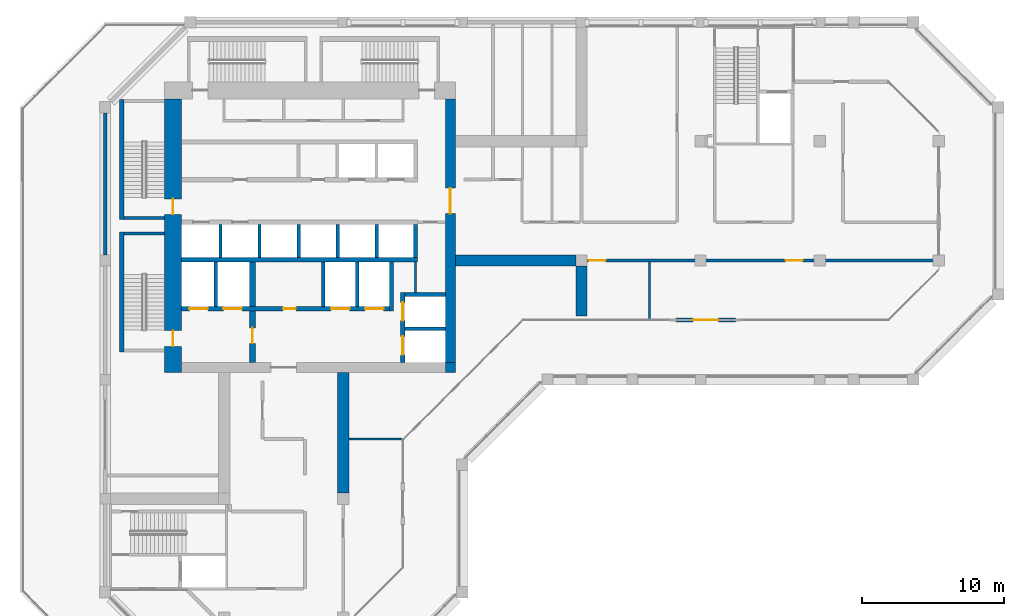
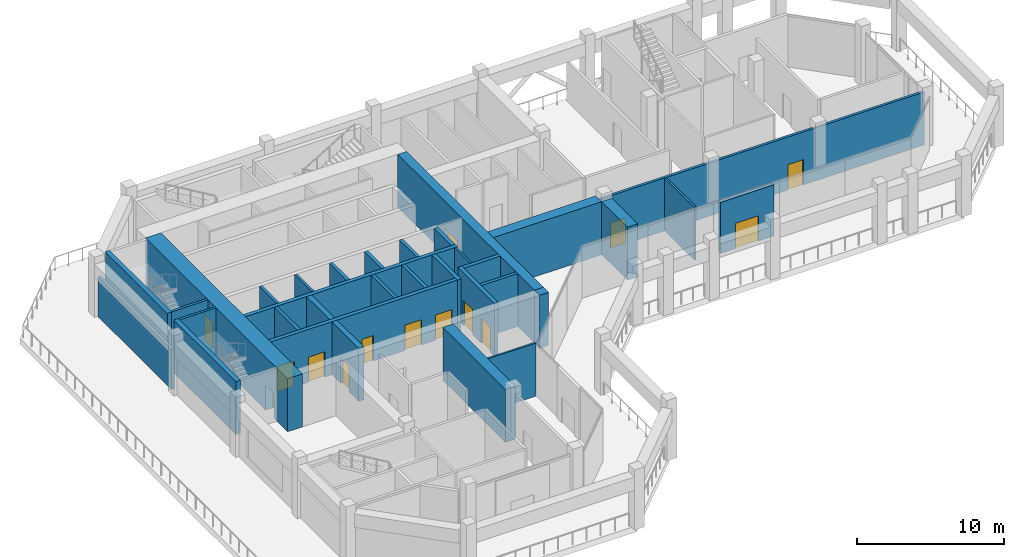
# One storey, part 7 of 16: 33 walls, 14 doors, 14 openings.
"""IFC4 building model written with IfcOpenShell, lengths in metres."""

from ifc_helpers import new_model, si_unit, direction, frame, frame_2d, origin, place, context, subcontext, project, spatial, rectangle, extrude, material, layer, layer_set, type_object, element, fill, save


model = new_model("IFC4")

# Units and contexts
model_context = context("Model", 3, precision=1e-05, world=origin(), true_north=direction((0.0, 1.0)))
body_context = subcontext(model_context, "Body", "Model", "MODEL_VIEW")
ifc_project = project(units=[si_unit("LENGTHUNIT", "METRE"), si_unit("AREAUNIT", "SQUARE_METRE"), si_unit("VOLUMEUNIT", "CUBIC_METRE"), si_unit("PLANEANGLEUNIT", "RADIAN"), si_unit("MASSUNIT", "GRAM", prefix="KILO")], contexts=[model_context])

# Site, building, storey
site_placement = place(None, origin())
site = spatial("IfcSite", under=ifc_project, at=site_placement, CompositionType="ELEMENT")
building_placement = place(site_placement, origin())
building = spatial("IfcBuilding", under=site, at=building_placement, Name="Kawkab Arch Medical Tower", CompositionType="ELEMENT")
storey_placement = place(building_placement, frame((0.0, 0.0, 272.60009765625)))
storey = spatial("IfcBuildingStorey", under=building, at=storey_placement, Name="L63", CompositionType="ELEMENT", Elevation=272.60009765625)

# Walls
ifc_material_1 = material(Name="Concrete C40/50", Category="concrete")
ifc_layer_1 = layer(ifc_material_1, 0.800048828125)
ifc_layer_set_1 = layer_set([ifc_layer_1], Name="Concrete C40/50")
wall_type_1 = type_object("IfcWallType", Name="Belt wall 800 C40/50", PredefinedType="SHEAR", material=ifc_layer_set_1)
wall_1_placement = place(storey_placement, frame((24.699951171875, -16.800048828125, 0.0), z_axis=(0.0, 0.0, 1.0), x_axis=(1.0, 0.0, 0.0)))
element("IfcWall", 1, at=wall_1_placement, inside=storey, type_object=wall_type_1, Name="Belt wall BW-L63-2", PredefinedType="SHEAR", context=body_context, shape_type="SweptSolid", body=[
    extrude(rectangle(XDim=8.5, YDim=0.800048828125, at=frame_2d((4.25, 0.0))), origin(), (0.0, 0.0, 1.0), 4.39990234375),
])
wall_2_placement = place(storey_placement, frame((33.60009765625, -17.199951171875, 0.0), z_axis=(0.0, 0.0, 1.0), x_axis=(0.0, -1.0, 0.0)))
element("IfcWall", 2, at=wall_2_placement, inside=storey, type_object=wall_type_1, Name="Belt wall BW-L63-4", PredefinedType="SHEAR", context=body_context, shape_type="SweptSolid", body=[
    extrude(rectangle(XDim=3.5, YDim=0.800048828125, at=frame_2d((1.75, 0.0))), origin(), (0.0, 0.0, 1.0), 4.39990234375),
])
wall_3_placement = place(storey_placement, frame((16.800048828125, -24.699951171875, 0.0), z_axis=(0.0, 0.0, 1.0), x_axis=(0.0, -1.0, 0.0)))
element("IfcWall", 3, at=wall_3_placement, inside=storey, type_object=wall_type_1, Name="Belt wall BW-L63-6", PredefinedType="SHEAR", context=body_context, shape_type="SweptSolid", body=[
    extrude(rectangle(XDim=8.5, YDim=0.800048828125, at=frame_2d((4.25, 0.0))), origin(), (0.0, 0.0, 1.0), 4.39990234375),
])

# Wall, openings, doors
ifc_material_2 = material(Name="Concrete C50/60", Category="concrete")
ifc_layer_2 = layer(ifc_material_2, 1.199951171875)
ifc_layer_set_2 = layer_set([ifc_layer_2], Name="Concrete C50/60")
wall_type_2 = type_object("IfcWallType", Name="Core ring wall 1200 C50/60", PredefinedType="SHEAR", material=ifc_layer_set_2)
wall_4_placement = place(storey_placement, frame((4.800048828125, -24.699951171875, 0.0), z_axis=(0.0, 0.0, 1.0), x_axis=(0.0, 1.0, 0.0)))
wall_4 = element("IfcWall", 4, at=wall_4_placement, inside=storey, type_object=wall_type_2, Name="L63 core wall", PredefinedType="SHEAR", context=body_context, shape_type="SweptSolid", body=[
    extrude(rectangle(XDim=19.300048828125, YDim=1.199951171875, at=frame_2d((9.64990234375, 0.0))), origin(), (0.0, 0.0, 1.0), 4.39990234375),
])
opening_1_placement = place(wall_4_placement, frame((11.14990234375, 0.0, 0.0)))
opening_1 = element("IfcOpeningElement", 5, at=opening_1_placement, cuts=wall_4, Name="Opening SD", PredefinedType="OPENING", context=body_context, shape_type="SweptSolid", body=[
    extrude(rectangle(XDim=1.10009765625, YDim=2.10009765625, at=frame_2d((0.550048828125, 1.050048828125))), frame((0.0, 0.60986328125, 0.0), z_axis=(0.0, -1.0, 0.0), x_axis=(1.0, 0.0, 0.0)), (0.0, 0.0, 1.0), 1.219970703125),
])
opening_2_placement = place(wall_4_placement, frame((1.85009765625, 0.0, 0.0)))
opening_2 = element("IfcOpeningElement", 6, at=opening_2_placement, cuts=wall_4, Name="Opening SD", PredefinedType="OPENING", context=body_context, shape_type="SweptSolid", body=[
    extrude(rectangle(XDim=1.10009765625, YDim=2.10009765625, at=frame_2d((0.550048828125, 1.050048828125))), frame((0.0, 0.60986328125, 0.0), z_axis=(0.0, -1.0, 0.0), x_axis=(1.0, 0.0, 0.0)), (0.0, 0.0, 1.0), 1.219970703125),
])
ifc_material_3 = material(Name="Hollow metal fire door leaf")
door_type_1 = type_object("IfcDoorType", Name="Exit stair door 1100", OperationType="SINGLE_SWING_LEFT", PredefinedType="DOOR", material=ifc_material_3)
door_1_placement = place(opening_1_placement, origin())
door_1 = element("IfcDoor", 7, at=door_1_placement, inside=storey, type_object=door_type_1, Name="L63 Exit stair ST1 door", OperationType="SINGLE_SWING_LEFT", OverallHeight=2.10009765625, OverallWidth=1.10009765625, PredefinedType="DOOR", context=body_context, shape_type="SweptSolid", body=[
    extrude(rectangle(XDim=1.10009765625, YDim=2.10009765625, at=frame_2d((0.550048828125, 1.050048828125))), frame((0.0, 0.02490234375, 0.0), z_axis=(0.0, -1.0, 0.0), x_axis=(1.0, 0.0, 0.0)), (0.0, 0.0, 1.0), 0.050048828125),
])
fill(opening_1, door_1)
door_2_placement = place(opening_2_placement, origin())
door_2 = element("IfcDoor", 8, at=door_2_placement, inside=storey, type_object=door_type_1, Name="L63 Exit stair ST2 door", OperationType="SINGLE_SWING_LEFT", OverallHeight=2.10009765625, OverallWidth=1.10009765625, PredefinedType="DOOR", context=body_context, shape_type="SweptSolid", body=[
    extrude(rectangle(XDim=1.10009765625, YDim=2.10009765625, at=frame_2d((0.550048828125, 1.050048828125))), frame((0.0, 0.02490234375, 0.0), z_axis=(0.0, -1.0, 0.0), x_axis=(1.0, 0.0, 0.0)), (0.0, 0.0, 1.0), 0.050048828125),
])
fill(opening_2, door_2)

# Wall, opening, door
ifc_material_4 = material(Name="Concrete C50/60", Category="concrete")
ifc_layer_3 = layer(ifc_material_4, 0.699951171875)
ifc_layer_set_3 = layer_set([ifc_layer_3], Name="Concrete C50/60")
wall_type_3 = type_object("IfcWallType", Name="Core ring wall 700 C50/60", PredefinedType="SHEAR", material=ifc_layer_set_3)
wall_5_placement = place(storey_placement, frame((24.35009765625, -24.0, 0.0), z_axis=(0.0, 0.0, 1.0), x_axis=(0.0, 1.0, 0.0)))
wall_5 = element("IfcWall", 9, at=wall_5_placement, inside=storey, type_object=wall_type_3, Name="L63 core wall", PredefinedType="SHEAR", context=body_context, shape_type="SweptSolid", body=[
    extrude(rectangle(XDim=18.60009765625, YDim=0.699951171875, at=frame_2d((9.300048828125, 0.0))), origin(), (0.0, 0.0, 1.0), 4.39990234375),
])
opening_3_placement = place(wall_5_placement, frame((10.5, 0.0, 0.0)))
opening_3 = element("IfcOpeningElement", 10, at=opening_3_placement, cuts=wall_5, Name="Opening PD", PredefinedType="OPENING", context=body_context, shape_type="SweptSolid", body=[
    extrude(rectangle(XDim=1.800048828125, YDim=2.10009765625, at=frame_2d((0.89990234375, 1.050048828125))), frame((0.0, 0.35986328125, 0.0), z_axis=(0.0, -1.0, 0.0), x_axis=(1.0, 0.0, 0.0)), (0.0, 0.0, 1.0), 0.719970703125),
])
ifc_material_5 = material(Name="Hollow metal fire door leaf")
door_type_2 = type_object("IfcDoorType", Name="Core entrance doors 1800", OperationType="DOUBLE_DOOR_SINGLE_SWING", PredefinedType="DOOR", material=ifc_material_5)
door_3_placement = place(opening_3_placement, origin())
door_3 = element("IfcDoor", 11, at=door_3_placement, inside=storey, type_object=door_type_2, Name="L63 East entrance doors", OperationType="DOUBLE_DOOR_SINGLE_SWING", OverallHeight=2.10009765625, OverallWidth=1.800048828125, PredefinedType="DOOR", context=body_context, shape_type="SweptSolid", body=[
    extrude(rectangle(XDim=1.800048828125, YDim=2.10009765625, at=frame_2d((0.89990234375, 1.050048828125))), frame((0.0, 0.02490234375, 0.0), z_axis=(0.0, -1.0, 0.0), x_axis=(1.0, 0.0, 0.0)), (0.0, 0.0, 1.0), 0.050048828125),
])
fill(opening_3, door_3)

# Walls
wall_6_placement = place(storey_placement, frame((24.35009765625, -24.699951171875, 0.0), z_axis=(0.0, 0.0, 1.0), x_axis=(0.0, 1.0, 0.0)))
element("IfcWall", 12, at=wall_6_placement, inside=storey, type_object=wall_type_3, Name="L63 core wall", PredefinedType="SHEAR", context=body_context, shape_type="SweptSolid", body=[
    extrude(rectangle(XDim=0.699951171875, YDim=0.699951171875, at=frame_2d((0.35009765625, 0.0))), origin(), (0.0, 0.0, 1.0), 4.39990234375),
])
ifc_material_6 = material(Name="Gypsum board on steel studs", Category="steel")
ifc_layer_4 = layer(ifc_material_6, 0.14990234375)
ifc_layer_set_4 = layer_set([ifc_layer_4], Name="Gypsum board on steel studs")
wall_type_4 = type_object("IfcWallType", Name="Core room partition 150", PredefinedType="PARTITIONING", material=ifc_layer_set_4)
wall_7_placement = place(storey_placement, frame((21.89990234375, -19.050048828125, 0.0), z_axis=(0.0, 0.0, 1.0), x_axis=(0.0, 1.0, 0.0)))
element("IfcWall", 13, at=wall_7_placement, inside=storey, type_object=wall_type_4, Name="L63 core room partition", PredefinedType="PARTITIONING", context=body_context, shape_type="SweptSolid", body=[
    extrude(rectangle(XDim=2.150146484375, YDim=0.14990234375, at=frame_2d((1.0751953125, 0.0))), origin(), (0.0, 0.0, 1.0), 4.39990234375),
])
ifc_material_7 = material(Name="Concrete C60/75", Category="concrete")
ifc_layer_5 = layer(ifc_material_7, 0.25)
ifc_layer_set_5 = layer_set([ifc_layer_5], Name="Concrete C60/75")
wall_type_5 = type_object("IfcWallType", Name="Core shear wall 250 C60/75", PredefinedType="SHEAR", material=ifc_layer_set_5)
wall_8_placement = place(storey_placement, frame((21.14990234375, -21.60009765625, 0.0), z_axis=(0.0, 0.0, 1.0), x_axis=(1.0, 0.0, 0.0)))
element("IfcWall", 14, at=wall_8_placement, inside=storey, type_object=wall_type_5, Name="L63 core shear wall", PredefinedType="SHEAR", context=body_context, shape_type="SweptSolid", body=[
    extrude(rectangle(XDim=2.85009765625, YDim=0.25, at=frame_2d((1.425048828125, 0.0))), origin(), (0.0, 0.0, 1.0), 4.39990234375),
])
for number, where, z_axis, x_axis, name in (
    (15, (7.800048828125, -20.050048828125, 0.0), (0.0, 0.0, 1.0), (0.0, 1.0, 0.0), "L63 core shear wall"),
    (16, (15.39990234375, -20.050048828125, 0.0), (0.0, 0.0, 1.0), (0.0, 1.0, 0.0), "L63 core shear wall"),
    (17, (17.800048828125, -20.050048828125, 0.0), (0.0, 0.0, 1.0), (0.0, 1.0, 0.0), "L63 core shear wall"),
):
    element("IfcWall", number, at=place(storey_placement, frame(where, z_axis=z_axis, x_axis=x_axis)), inside=storey, type_object=wall_type_5, Name=name, PredefinedType="SHEAR", context=body_context, shape_type="SweptSolid", body=[
        extrude(rectangle(XDim=3.150146484375, YDim=0.25, at=frame_2d((1.5751953125, 0.0))), origin(), (0.0, 0.0, 1.0), 4.39990234375),
    ])
for number, where, z_axis, x_axis, name in (
    (18, (13.64990234375, -16.60009765625, 0.0), (0.0, 0.0, 1.0), (0.0, 1.0, 0.0), "L63 core shear wall"),
    (19, (16.39990234375, -16.60009765625, 0.0), (0.0, 0.0, 1.0), (0.0, 1.0, 0.0), "L63 core shear wall"),
    (20, (19.14990234375, -16.60009765625, 0.0), (0.0, 0.0, 1.0), (0.0, 1.0, 0.0), "L63 core shear wall"),
):
    element("IfcWall", number, at=place(storey_placement, frame(where, z_axis=z_axis, x_axis=x_axis)), inside=storey, type_object=wall_type_5, Name=name, PredefinedType="SHEAR", context=body_context, shape_type="SweptSolid", body=[
        extrude(rectangle(XDim=2.35009765625, YDim=0.25, at=frame_2d((1.175048828125, 0.0))), origin(), (0.0, 0.0, 1.0), 4.39990234375),
    ])
ifc_material_8 = material(Name="Concrete C60/75", Category="concrete")
ifc_layer_6 = layer(ifc_material_8, 0.300048828125)
ifc_layer_set_6 = layer_set([ifc_layer_6], Name="Concrete C60/75")
wall_type_6 = type_object("IfcWallType", Name="Core shear wall 300 C60/75", PredefinedType="SHEAR", material=ifc_layer_set_6)
wall_9_placement = place(storey_placement, frame((5.39990234375, -16.75, 0.0), z_axis=(0.0, 0.0, 1.0), x_axis=(1.0, 0.0, 0.0)))
element("IfcWall", 21, at=wall_9_placement, inside=storey, type_object=wall_type_6, Name="L63 core shear wall", PredefinedType="SHEAR", context=body_context, shape_type="SweptSolid", body=[
    extrude(rectangle(XDim=16.650146484375, YDim=0.300048828125, at=frame_2d((8.3251953125, 0.0))), origin(), (0.0, 0.0, 1.0), 4.39990234375),
])

# Wall, openings, doors
wall_10_placement = place(storey_placement, frame((5.39990234375, -20.199951171875, 0.0), z_axis=(0.0, 0.0, 1.0), x_axis=(1.0, 0.0, 0.0)))
wall_10 = element("IfcWall", 22, at=wall_10_placement, inside=storey, type_object=wall_type_6, Name="L63 core shear wall", PredefinedType="SHEAR", context=body_context, shape_type="SweptSolid", body=[
    extrude(rectangle(XDim=14.650146484375, YDim=0.300048828125, at=frame_2d((7.3251953125, 0.0))), origin(), (0.0, 0.0, 1.0), 4.39990234375),
])
opening_4_placement = place(wall_10_placement, frame((10.550048828125, 0.0, 0.0)))
opening_4 = element("IfcOpeningElement", 23, at=opening_4_placement, cuts=wall_10, Name="Opening LD2", PredefinedType="OPENING", context=body_context, shape_type="SweptSolid", body=[
    extrude(rectangle(XDim=1.300048828125, YDim=2.10009765625, at=frame_2d((0.64990234375, 1.050048828125))), frame((0.0, 0.159912109375, 0.0), z_axis=(0.0, -1.0, 0.0), x_axis=(1.0, 0.0, 0.0)), (0.0, 0.0, 1.0), 0.320068359375),
])
opening_5_placement = place(wall_10_placement, frame((12.949951171875, 0.0, 0.0)))
opening_5 = element("IfcOpeningElement", 24, at=opening_5_placement, cuts=wall_10, Name="Opening LD2", PredefinedType="OPENING", context=body_context, shape_type="SweptSolid", body=[
    extrude(rectangle(XDim=1.300048828125, YDim=2.10009765625, at=frame_2d((0.64990234375, 1.050048828125))), frame((0.0, 0.159912109375, 0.0), z_axis=(0.0, -1.0, 0.0), x_axis=(1.0, 0.0, 0.0)), (0.0, 0.0, 1.0), 0.320068359375),
])
opening_6_placement = place(wall_10_placement, frame((0.550048828125, 0.0, 0.0)))
opening_6 = element("IfcOpeningElement", 25, at=opening_6_placement, cuts=wall_10, Name="Opening LD2", PredefinedType="OPENING", context=body_context, shape_type="SweptSolid", body=[
    extrude(rectangle(XDim=1.300048828125, YDim=2.10009765625, at=frame_2d((0.64990234375, 1.050048828125))), frame((0.0, 0.159912109375, 0.0), z_axis=(0.0, -1.0, 0.0), x_axis=(1.0, 0.0, 0.0)), (0.0, 0.0, 1.0), 0.320068359375),
])
opening_7_placement = place(wall_10_placement, frame((2.949951171875, 0.0, 0.0)))
opening_7 = element("IfcOpeningElement", 26, at=opening_7_placement, cuts=wall_10, Name="Opening LD2", PredefinedType="OPENING", context=body_context, shape_type="SweptSolid", body=[
    extrude(rectangle(XDim=1.300048828125, YDim=2.10009765625, at=frame_2d((0.64990234375, 1.050048828125))), frame((0.0, 0.159912109375, 0.0), z_axis=(0.0, -1.0, 0.0), x_axis=(1.0, 0.0, 0.0)), (0.0, 0.0, 1.0), 0.320068359375),
])
opening_8_placement = place(wall_10_placement, frame((7.14990234375, 0.0, 0.0)))
opening_8 = element("IfcOpeningElement", 27, at=opening_8_placement, cuts=wall_10, Name="Opening RD", PredefinedType="OPENING", context=body_context, shape_type="SweptSolid", body=[
    extrude(rectangle(XDim=0.89990234375, YDim=2.10009765625, at=frame_2d((0.449951171875, 1.050048828125))), frame((0.0, 0.159912109375, 0.0), z_axis=(0.0, -1.0, 0.0), x_axis=(1.0, 0.0, 0.0)), (0.0, 0.0, 1.0), 0.320068359375),
])
ifc_material_9 = material(Name="Hollow metal fire door leaf")
door_type_3 = type_object("IfcDoorType", Name="Core room door 900", OperationType="SINGLE_SWING_LEFT", PredefinedType="DOOR", material=ifc_material_9)
door_4_placement = place(opening_8_placement, origin())
door_4 = element("IfcDoor", 28, at=door_4_placement, inside=storey, type_object=door_type_3, Name="L63 Equipment store door", OperationType="SINGLE_SWING_LEFT", OverallHeight=2.10009765625, OverallWidth=0.89990234375, PredefinedType="DOOR", context=body_context, shape_type="SweptSolid", body=[
    extrude(rectangle(XDim=0.89990234375, YDim=2.10009765625, at=frame_2d((0.449951171875, 1.050048828125))), frame((0.0, 0.02490234375, 0.0), z_axis=(0.0, -1.0, 0.0), x_axis=(1.0, 0.0, 0.0)), (0.0, 0.0, 1.0), 0.050048828125),
])
fill(opening_8, door_4)
ifc_material_10 = material(Name="Stainless steel lift door leaf", Category="steel")
door_type_4 = type_object("IfcDoorType", Name="Lift landing door 1300", OperationType="DOUBLE_DOOR_SLIDING", PredefinedType="DOOR", material=ifc_material_10)
door_5_placement = place(opening_4_placement, origin())
door_5 = element("IfcDoor", 29, at=door_5_placement, inside=storey, type_object=door_type_4, Name="L63 Lift landing door BD3", OperationType="DOUBLE_DOOR_SLIDING", OverallHeight=2.10009765625, OverallWidth=1.300048828125, PredefinedType="DOOR", context=body_context, shape_type="SweptSolid", body=[
    extrude(rectangle(XDim=1.300048828125, YDim=2.10009765625, at=frame_2d((0.64990234375, 1.050048828125))), frame((0.0, 0.02490234375, 0.0), z_axis=(0.0, -1.0, 0.0), x_axis=(1.0, 0.0, 0.0)), (0.0, 0.0, 1.0), 0.050048828125),
])
fill(opening_4, door_5)
door_6_placement = place(opening_5_placement, origin())
door_6 = element("IfcDoor", 30, at=door_6_placement, inside=storey, type_object=door_type_4, Name="L63 Lift landing door BD4", OperationType="DOUBLE_DOOR_SLIDING", OverallHeight=2.10009765625, OverallWidth=1.300048828125, PredefinedType="DOOR", context=body_context, shape_type="SweptSolid", body=[
    extrude(rectangle(XDim=1.300048828125, YDim=2.10009765625, at=frame_2d((0.64990234375, 1.050048828125))), frame((0.0, 0.02490234375, 0.0), z_axis=(0.0, -1.0, 0.0), x_axis=(1.0, 0.0, 0.0)), (0.0, 0.0, 1.0), 0.050048828125),
])
fill(opening_5, door_6)
door_7_placement = place(opening_6_placement, origin())
door_7 = element("IfcDoor", 31, at=door_7_placement, inside=storey, type_object=door_type_4, Name="L63 Lift landing door FL1", OperationType="DOUBLE_DOOR_SLIDING", OverallHeight=2.10009765625, OverallWidth=1.300048828125, PredefinedType="DOOR", context=body_context, shape_type="SweptSolid", body=[
    extrude(rectangle(XDim=1.300048828125, YDim=2.10009765625, at=frame_2d((0.64990234375, 1.050048828125))), frame((0.0, 0.02490234375, 0.0), z_axis=(0.0, -1.0, 0.0), x_axis=(1.0, 0.0, 0.0)), (0.0, 0.0, 1.0), 0.050048828125),
])
fill(opening_6, door_7)
door_8_placement = place(opening_7_placement, origin())
door_8 = element("IfcDoor", 32, at=door_8_placement, inside=storey, type_object=door_type_4, Name="L63 Lift landing door FL2", OperationType="DOUBLE_DOOR_SLIDING", OverallHeight=2.10009765625, OverallWidth=1.300048828125, PredefinedType="DOOR", context=body_context, shape_type="SweptSolid", body=[
    extrude(rectangle(XDim=1.300048828125, YDim=2.10009765625, at=frame_2d((0.64990234375, 1.050048828125))), frame((0.0, 0.02490234375, 0.0), z_axis=(0.0, -1.0, 0.0), x_axis=(1.0, 0.0, 0.0)), (0.0, 0.0, 1.0), 0.050048828125),
])
fill(opening_7, door_8)

# Walls
wall_11_placement = place(storey_placement, frame((20.199951171875, -20.35009765625, 0.0), z_axis=(0.0, 0.0, 1.0), x_axis=(0.0, 1.0, 0.0)))
element("IfcWall", 33, at=wall_11_placement, inside=storey, type_object=wall_type_6, Name="L63 core shear wall", PredefinedType="SHEAR", context=body_context, shape_type="SweptSolid", body=[
    extrude(rectangle(XDim=3.4501953125, YDim=0.300048828125, at=frame_2d((1.72509765625, 0.0))), origin(), (0.0, 0.0, 1.0), 4.39990234375),
])
wall_12_placement = place(storey_placement, frame((21.89990234375, -16.60009765625, 0.0), z_axis=(0.0, 0.0, 1.0), x_axis=(0.0, 1.0, 0.0)))
element("IfcWall", 34, at=wall_12_placement, inside=storey, type_object=wall_type_6, Name="L63 core shear wall", PredefinedType="SHEAR", context=body_context, shape_type="SweptSolid", body=[
    extrude(rectangle(XDim=2.35009765625, YDim=0.300048828125, at=frame_2d((1.175048828125, 0.0))), origin(), (0.0, 0.0, 1.0), 4.39990234375),
])
wall_13_placement = place(storey_placement, frame((21.14990234375, -19.199951171875, 0.0), z_axis=(0.0, 0.0, 1.0), x_axis=(1.0, 0.0, 0.0)))
element("IfcWall", 35, at=wall_13_placement, inside=storey, type_object=wall_type_6, Name="L63 core shear wall", PredefinedType="SHEAR", context=body_context, shape_type="SweptSolid", body=[
    extrude(rectangle(XDim=2.85009765625, YDim=0.300048828125, at=frame_2d((1.425048828125, 0.0))), origin(), (0.0, 0.0, 1.0), 4.39990234375),
])

# Wall, openings, doors
wall_14_placement = place(storey_placement, frame((21.0, -24.0, 0.0), z_axis=(0.0, 0.0, 1.0), x_axis=(0.0, 1.0, 0.0)))
wall_14 = element("IfcWall", 36, at=wall_14_placement, inside=storey, type_object=wall_type_6, Name="L63 core shear wall", PredefinedType="SHEAR", context=body_context, shape_type="SweptSolid", body=[
    extrude(rectangle(XDim=4.949951171875, YDim=0.300048828125, at=frame_2d((2.47509765625, 0.0))), origin(), (0.0, 0.0, 1.0), 4.39990234375),
])
opening_9_placement = place(wall_14_placement, frame((2.949951171875, 0.0, 0.0)))
opening_9 = element("IfcOpeningElement", 37, at=opening_9_placement, cuts=wall_14, Name="Opening LD2", PredefinedType="OPENING", context=body_context, shape_type="SweptSolid", body=[
    extrude(rectangle(XDim=1.300048828125, YDim=2.10009765625, at=frame_2d((0.64990234375, 1.050048828125))), frame((0.0, 0.159912109375, 0.0), z_axis=(0.0, -1.0, 0.0), x_axis=(1.0, 0.0, 0.0)), (0.0, 0.0, 1.0), 0.320068359375),
])
opening_10_placement = place(wall_14_placement, frame((0.550048828125, 0.0, 0.0)))
opening_10 = element("IfcOpeningElement", 38, at=opening_10_placement, cuts=wall_14, Name="Opening LD2", PredefinedType="OPENING", context=body_context, shape_type="SweptSolid", body=[
    extrude(rectangle(XDim=1.300048828125, YDim=2.10009765625, at=frame_2d((0.64990234375, 1.050048828125))), frame((0.0, 0.159912109375, 0.0), z_axis=(0.0, -1.0, 0.0), x_axis=(1.0, 0.0, 0.0)), (0.0, 0.0, 1.0), 0.320068359375),
])
door_9_placement = place(opening_9_placement, origin())
door_9 = element("IfcDoor", 39, at=door_9_placement, inside=storey, type_object=door_type_4, Name="L63 Lift landing door BD1", OperationType="DOUBLE_DOOR_SLIDING", OverallHeight=2.10009765625, OverallWidth=1.300048828125, PredefinedType="DOOR", context=body_context, shape_type="SweptSolid", body=[
    extrude(rectangle(XDim=1.300048828125, YDim=2.10009765625, at=frame_2d((0.64990234375, 1.050048828125))), frame((0.0, 0.02490234375, 0.0), z_axis=(0.0, -1.0, 0.0), x_axis=(1.0, 0.0, 0.0)), (0.0, 0.0, 1.0), 0.050048828125),
])
fill(opening_9, door_9)
door_10_placement = place(opening_10_placement, origin())
door_10 = element("IfcDoor", 40, at=door_10_placement, inside=storey, type_object=door_type_4, Name="L63 Lift landing door BD2", OperationType="DOUBLE_DOOR_SLIDING", OverallHeight=2.10009765625, OverallWidth=1.300048828125, PredefinedType="DOOR", context=body_context, shape_type="SweptSolid", body=[
    extrude(rectangle(XDim=1.300048828125, YDim=2.10009765625, at=frame_2d((0.64990234375, 1.050048828125))), frame((0.0, 0.02490234375, 0.0), z_axis=(0.0, -1.0, 0.0), x_axis=(1.0, 0.0, 0.0)), (0.0, 0.0, 1.0), 0.050048828125),
])
fill(opening_10, door_10)

# Wall, opening, door
ifc_material_11 = material(Name="Concrete C60/75", Category="concrete")
ifc_layer_7 = layer(ifc_material_11, 0.39990234375)
ifc_layer_set_7 = layer_set([ifc_layer_7], Name="Concrete C60/75")
wall_type_7 = type_object("IfcWallType", Name="Core shear wall 400 C60/75", PredefinedType="SHEAR", material=ifc_layer_set_7)
wall_15_placement = place(storey_placement, frame((10.39990234375, -24.0, 0.0), z_axis=(0.0, 0.0, 1.0), x_axis=(0.0, 1.0, 0.0)))
wall_15 = element("IfcWall", 41, at=wall_15_placement, inside=storey, type_object=wall_type_7, Name="L63 core shear wall", PredefinedType="SHEAR", context=body_context, shape_type="SweptSolid", body=[
    extrude(rectangle(XDim=3.64990234375, YDim=0.39990234375, at=frame_2d((1.824951171875, 0.0))), origin(), (0.0, 0.0, 1.0), 4.39990234375),
])
opening_11_placement = place(wall_15_placement, frame((1.35009765625, 0.0, 0.0)))
opening_11 = element("IfcOpeningElement", 42, at=opening_11_placement, cuts=wall_15, Name="Opening FD", PredefinedType="OPENING", context=body_context, shape_type="SweptSolid", body=[
    extrude(rectangle(XDim=1.10009765625, YDim=2.10009765625, at=frame_2d((0.550048828125, 1.050048828125))), frame((0.0, 0.2099609375, 0.0), z_axis=(0.0, -1.0, 0.0), x_axis=(1.0, 0.0, 0.0)), (0.0, 0.0, 1.0), 0.419921875),
])
ifc_material_12 = material(Name="Hollow metal fire door leaf")
door_type_5 = type_object("IfcDoorType", Name="Firefighting lobby door 1100", OperationType="SINGLE_SWING_LEFT", PredefinedType="DOOR", material=ifc_material_12)
door_11_placement = place(opening_11_placement, origin())
door_11 = element("IfcDoor", 43, at=door_11_placement, inside=storey, type_object=door_type_5, Name="L63 Firefighting lobby door", OperationType="SINGLE_SWING_LEFT", OverallHeight=2.10009765625, OverallWidth=1.10009765625, PredefinedType="DOOR", context=body_context, shape_type="SweptSolid", body=[
    extrude(rectangle(XDim=1.10009765625, YDim=2.10009765625, at=frame_2d((0.550048828125, 1.050048828125))), frame((0.0, 0.02490234375, 0.0), z_axis=(0.0, -1.0, 0.0), x_axis=(1.0, 0.0, 0.0)), (0.0, 0.0, 1.0), 0.050048828125),
])
fill(opening_11, door_11)

# Walls
wall_16_placement = place(storey_placement, frame((10.39990234375, -20.050048828125, 0.0), z_axis=(0.0, 0.0, 1.0), x_axis=(0.0, 1.0, 0.0)))
element("IfcWall", 44, at=wall_16_placement, inside=storey, type_object=wall_type_7, Name="L63 core shear wall", PredefinedType="SHEAR", context=body_context, shape_type="SweptSolid", body=[
    extrude(rectangle(XDim=3.150146484375, YDim=0.39990234375, at=frame_2d((1.5751953125, 0.0))), origin(), (0.0, 0.0, 1.0), 4.39990234375),
])
ifc_material_13 = material(Name="Bronze clad insulated wall panel")
ifc_layer_8 = layer(ifc_material_13, 0.25)
ifc_layer_set_8 = layer_set([ifc_layer_8], Name="Bronze clad insulated wall panel")
wall_type_8 = type_object("IfcWallType", Name="External wall bay 250", PredefinedType="SOLIDWALL", material=ifc_layer_set_8)
wall_17_placement = place(storey_placement, frame((0.0, -6.39990234375, 0.0), z_axis=(0.0, 0.0, 1.0), x_axis=(0.0, -1.0, 0.0)))
element("IfcWall", 45, at=wall_17_placement, inside=storey, type_object=wall_type_8, Name="Plant wall L63.R02.1", PredefinedType="SOLIDWALL", context=body_context, shape_type="SweptSolid", body=[
    extrude(rectangle(XDim=10.025146484375, YDim=0.25, at=frame_2d((5.0126953125, 0.0))), origin(), (0.0, 0.0, 1.0), 3.2998046875),
])

# Wall, opening, door
wall_18_placement = place(storey_placement, frame((40.260009765625, -21.0, 0.0), z_axis=(0.0, 0.0, 1.0), x_axis=(1.0, 0.0, 0.0)))
wall_18 = element("IfcWall", 46, at=wall_18_placement, inside=storey, type_object=wall_type_8, Name="External wall bay L63.R13.3.2", PredefinedType="SOLIDWALL", context=body_context, shape_type="SweptSolid", body=[
    extrude(rectangle(XDim=4.199951171875, YDim=0.25, at=frame_2d((2.10009765625, 0.0))), origin(), (0.0, 0.0, 1.0), 4.239990234375),
])
opening_12_placement = place(wall_18_placement, frame((1.199951171875, 0.0, 0.0)))
opening_12 = element("IfcOpeningElement", 47, at=opening_12_placement, cuts=wall_18, Name="Opening PL3-701", PredefinedType="OPENING", context=body_context, shape_type="SweptSolid", body=[
    extrude(rectangle(XDim=1.800048828125, YDim=2.10009765625, at=frame_2d((0.89990234375, 1.050048828125))), frame((0.0, 0.135009765625, 0.0), z_axis=(0.0, -1.0, 0.0), x_axis=(1.0, 0.0, 0.0)), (0.0, 0.0, 1.0), 0.27001953125),
])
ifc_material_14 = material(Name="Bronze anodised aluminium door with tinted glass", Category="aluminium")
door_type_6 = type_object("IfcDoorType", Name="Double external door 1800 x 2100", OperationType="DOUBLE_DOOR_SINGLE_SWING", PredefinedType="DOOR", material=ifc_material_14)
door_12_placement = place(opening_12_placement, origin())
door_12 = element("IfcDoor", 48, at=door_12_placement, inside=storey, type_object=door_type_6, Name="External door L63.R13.3.2", OperationType="DOUBLE_DOOR_SINGLE_SWING", OverallHeight=2.10009765625, OverallWidth=1.800048828125, PredefinedType="DOOR", context=body_context, shape_type="SweptSolid", body=[
    extrude(rectangle(XDim=1.800048828125, YDim=2.10009765625, at=frame_2d((0.89990234375, 1.050048828125))), frame((0.0, 0.02490234375, 0.0), z_axis=(0.0, -1.0, 0.0), x_axis=(1.0, 0.0, 0.0)), (0.0, 0.0, 1.0), 0.050048828125),
])
fill(opening_12, door_12)

# Walls
ifc_material_15 = material(Name="Dense concrete blockwork", Category="masonry")
ifc_layer_9 = layer(ifc_material_15, 0.199951171875)
ifc_layer_set_9 = layer_set([ifc_layer_9], Name="Dense concrete blockwork")
wall_type_9 = type_object("IfcWallType", Name="Lift shaft partition 200", PredefinedType="PARTITIONING", material=ifc_layer_set_9)
for number, where, z_axis, x_axis, name in (
    (49, (8.14990234375, -16.60009765625, 0.0), (0.0, 0.0, 1.0), (0.0, 1.0, 0.0), "L63 lift shaft partition"),
    (50, (10.89990234375, -16.60009765625, 0.0), (0.0, 0.0, 1.0), (0.0, 1.0, 0.0), "L63 lift shaft partition"),
):
    element("IfcWall", number, at=place(storey_placement, frame(where, z_axis=z_axis, x_axis=x_axis)), inside=storey, type_object=wall_type_9, Name=name, PredefinedType="PARTITIONING", context=body_context, shape_type="SweptSolid", body=[
        extrude(rectangle(XDim=2.35009765625, YDim=0.199951171875, at=frame_2d((1.175048828125, 0.0))), origin(), (0.0, 0.0, 1.0), 4.39990234375),
    ])
ifc_material_16 = material(Name="Gypsum board partition on steel studs, mineral wool", Category="steel")
ifc_layer_10 = layer(ifc_material_16, 0.14990234375)
ifc_layer_set_10 = layer_set([ifc_layer_10], Name="Gypsum board partition on steel studs, mineral wool")
wall_type_10 = type_object("IfcWallType", Name="Partition 150", PredefinedType="PARTITIONING", material=ifc_layer_set_10)
wall_19_placement = place(storey_placement, frame((17.198974609375, -29.39990234375, 0.0), z_axis=(0.0, 0.0, 1.0), x_axis=(1.0, 0.0, 0.0)))
element("IfcWall", 51, at=wall_19_placement, inside=storey, type_object=wall_type_10, Name="Partition 150 w001", PredefinedType="PARTITIONING", context=body_context, shape_type="SweptSolid", body=[
    extrude(rectangle(XDim=3.748046875, YDim=0.14990234375, at=frame_2d((1.8740234375, 0.0))), origin(), (0.0, 0.0, 1.0), 4.39990234375),
])
wall_20_placement = place(storey_placement, frame((38.39990234375, -20.919921875, 0.0), z_axis=(0.0, 0.0, 1.0), x_axis=(0.0, 1.0, 0.0)))
element("IfcWall", 52, at=wall_20_placement, inside=storey, type_object=wall_type_10, Name="Partition 150 w012", PredefinedType="PARTITIONING", context=body_context, shape_type="SweptSolid", body=[
    extrude(rectangle(XDim=4.02001953125, YDim=0.14990234375, at=frame_2d((2.010009765625, 0.0))), origin(), (0.0, 0.0, 1.0), 4.39990234375),
])

# Wall, openings, doors
ifc_material_17 = material(Name="Fire-rated gypsum board partition on steel studs", Category="steel")
ifc_layer_11 = layer(ifc_material_17, 0.199951171875)
ifc_layer_set_11 = layer_set([ifc_layer_11], Name="Fire-rated gypsum board partition on steel studs")
wall_type_11 = type_object("IfcWallType", Name="Protected partition 200", PredefinedType="PARTITIONING", material=ifc_layer_set_11)
wall_21_placement = place(storey_placement, frame((33.199951171875, -16.800048828125, 0.0), z_axis=(0.0, 0.0, 1.0), x_axis=(1.0, 0.0, 0.0)))
wall_21 = element("IfcWall", 53, at=wall_21_placement, inside=storey, type_object=wall_type_11, Name="Protected partition 200 w020", PredefinedType="PARTITIONING", context=body_context, shape_type="SweptSolid", body=[
    extrude(rectangle(XDim=25.52001953125, YDim=0.199951171875, at=frame_2d((12.760009765625, 0.0))), origin(), (0.0, 0.0, 1.0), 4.39990234375),
])
opening_13_placement = place(wall_21_placement, frame((0.89990234375, 0.0, 0.0)))
opening_13 = element("IfcOpeningElement", 54, at=opening_13_placement, cuts=wall_21, Name="Opening PL3-007", PredefinedType="OPENING", context=body_context, shape_type="SweptSolid", body=[
    extrude(rectangle(XDim=1.199951171875, YDim=2.10009765625, at=frame_2d((0.60009765625, 1.050048828125))), frame((0.0, 0.10986328125, 0.0), z_axis=(0.0, -1.0, 0.0), x_axis=(1.0, 0.0, 0.0)), (0.0, 0.0, 1.0), 0.219970703125),
])
opening_14_placement = place(wall_21_placement, frame((14.800048828125, 0.0, 0.0)))
opening_14 = element("IfcOpeningElement", 55, at=opening_14_placement, cuts=wall_21, Name="Opening PL3-008", PredefinedType="OPENING", context=body_context, shape_type="SweptSolid", body=[
    extrude(rectangle(XDim=1.199951171875, YDim=2.10009765625, at=frame_2d((0.60009765625, 1.050048828125))), frame((0.0, 0.10986328125, 0.0), z_axis=(0.0, -1.0, 0.0), x_axis=(1.0, 0.0, 0.0)), (0.0, 0.0, 1.0), 0.219970703125),
])
ifc_material_18 = material(Name="Hollow metal door leaf")
door_type_7 = type_object("IfcDoorType", Name="Single door 1200x2100 FD60", OperationType="NOTDEFINED", PredefinedType="DOOR", material=ifc_material_18)
door_13_placement = place(opening_13_placement, origin())
door_13 = element("IfcDoor", 56, at=door_13_placement, inside=storey, type_object=door_type_7, Name="Door PL3-007", OperationType="SINGLE_SWING_RIGHT", OverallHeight=2.10009765625, OverallWidth=1.199951171875, PredefinedType="DOOR", context=body_context, shape_type="SweptSolid", body=[
    extrude(rectangle(XDim=1.199951171875, YDim=2.10009765625, at=frame_2d((0.60009765625, 1.050048828125))), frame((0.0, 0.02490234375, 0.0), z_axis=(0.0, -1.0, 0.0), x_axis=(1.0, 0.0, 0.0)), (0.0, 0.0, 1.0), 0.050048828125),
])
fill(opening_13, door_13)
door_14_placement = place(opening_14_placement, origin())
door_14 = element("IfcDoor", 57, at=door_14_placement, inside=storey, type_object=door_type_7, Name="Door PL3-008", OperationType="SINGLE_SWING_LEFT", OverallHeight=2.10009765625, OverallWidth=1.199951171875, PredefinedType="DOOR", context=body_context, shape_type="SweptSolid", body=[
    extrude(rectangle(XDim=1.199951171875, YDim=2.10009765625, at=frame_2d((0.60009765625, 1.050048828125))), frame((0.0, 0.02490234375, 0.0), z_axis=(0.0, -1.0, 0.0), x_axis=(1.0, 0.0, 0.0)), (0.0, 0.0, 1.0), 0.050048828125),
])
fill(opening_14, door_14)

# Walls
ifc_material_19 = material(Name="Concrete C50/60", Category="concrete")
ifc_layer_12 = layer(ifc_material_19, 0.199951171875)
ifc_layer_set_12 = layer_set([ifc_layer_12], Name="Concrete C50/60")
wall_type_12 = type_object("IfcWallType", Name="Stair enclosure wall 200 C50/60", PredefinedType="SHEAR", material=ifc_layer_set_12)
for number, where, z_axis, x_axis, name in (
    (58, (1.35009765625, -13.800048828125, 0.0), (0.0, 0.0, 1.0), (1.0, 0.0, 0.0), "L63 stair enclosure wall"),
    (59, (1.35009765625, -14.89990234375, 0.0), (0.0, 0.0, 1.0), (1.0, 0.0, 0.0), "L63 stair enclosure wall"),
):
    element("IfcWall", number, at=place(storey_placement, frame(where, z_axis=z_axis, x_axis=x_axis)), inside=storey, type_object=wall_type_12, Name=name, PredefinedType="SHEAR", context=body_context, shape_type="SweptSolid", body=[
        extrude(rectangle(XDim=2.849853515625, YDim=0.199951171875, at=frame_2d((1.4248046875, 0.0))), origin(), (0.0, 0.0, 1.0), 4.39990234375),
    ])
ifc_material_20 = material(Name="Concrete C50/60", Category="concrete")
ifc_layer_13 = layer(ifc_material_20, 0.35009765625)
ifc_layer_set_13 = layer_set([ifc_layer_13], Name="Concrete C50/60")
wall_type_13 = type_object("IfcWallType", Name="Stair enclosure wall 350 C50/60", PredefinedType="SHEAR", material=ifc_layer_set_13)
for number, where, z_axis, x_axis, name in (
    (60, (1.175048828125, -13.89990234375, 0.0), (0.0, 0.0, 1.0), (0.0, 1.0, 0.0), "L63 stair enclosure wall"),
    (61, (1.175048828125, -23.25, 0.0), (0.0, 0.0, 1.0), (0.0, 1.0, 0.0), "L63 stair enclosure wall"),
):
    element("IfcWall", number, at=place(storey_placement, frame(where, z_axis=z_axis, x_axis=x_axis)), inside=storey, type_object=wall_type_13, Name=name, PredefinedType="SHEAR", context=body_context, shape_type="SweptSolid", body=[
        extrude(rectangle(XDim=8.449951171875, YDim=0.35009765625, at=frame_2d((4.22509765625, 0.0))), origin(), (0.0, 0.0, 1.0), 4.39990234375),
    ])

save(model, "model.ifc")
